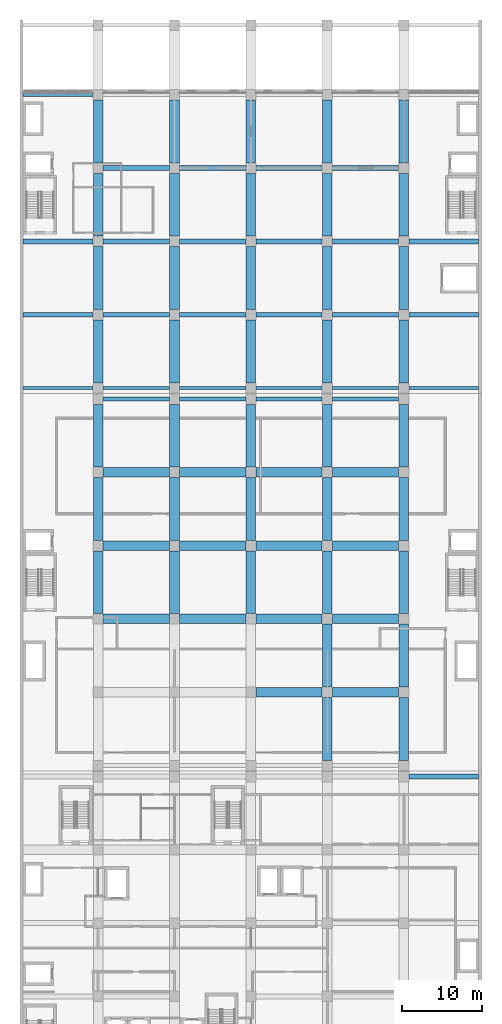
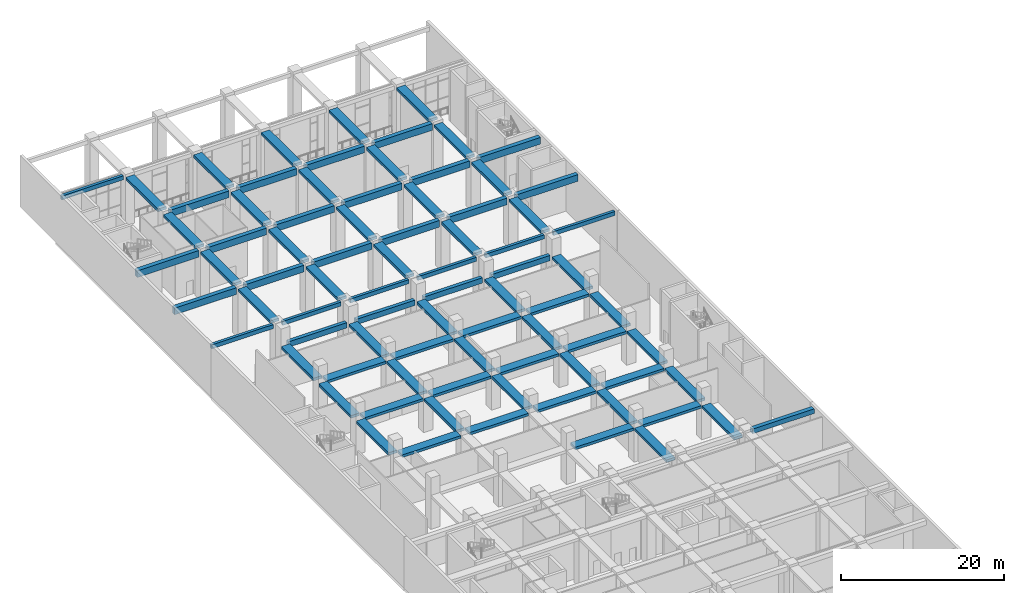
# One storey, part 2 of 33: 81 beams.
"""IFC4 building model written with IfcOpenShell, lengths in metres."""

from ifc_helpers import new_model, si_unit, direction, frame, origin, origin_2d, place, context, subcontext, project, spatial, rectangle, extrude, material, material_profile, profile_set, type_object, element, save


model = new_model("IFC4")

# Units and contexts
model_context = context("Model", 3, precision=1e-05, world=origin(), true_north=direction((0.0, 1.0)))
body_context = subcontext(model_context, "Body", "Model", "MODEL_VIEW")
ifc_project = project(units=[si_unit("LENGTHUNIT", "METRE"), si_unit("AREAUNIT", "SQUARE_METRE"), si_unit("VOLUMEUNIT", "CUBIC_METRE"), si_unit("PLANEANGLEUNIT", "RADIAN"), si_unit("MASSUNIT", "GRAM", prefix="KILO")], contexts=[model_context])

# Site, building, storey
site_placement = place(None, origin())
site = spatial("IfcSite", under=ifc_project, at=site_placement, CompositionType="ELEMENT")
building_placement = place(site_placement, origin())
building = spatial("IfcBuilding", under=site, at=building_placement, Name="Nzadi Deep Aquarium and Research Tower", CompositionType="ELEMENT")
storey_placement = place(building_placement, frame((0.0, 0.0, 6.5)))
storey = spatial("IfcBuildingStorey", under=building, at=storey_placement, Name="L01", CompositionType="ELEMENT", Elevation=6.5)

# Beams
ifc_material_1 = material(Name="Concrete C35/45", Category="concrete")
ifc_material_profile_1 = material_profile(ifc_material_1, rectangle(XDim=1.199951171875, YDim=0.39990234375, at=origin_2d()))
ifc_profile_set_1 = profile_set([ifc_material_profile_1], Name="Concrete C35/45")
beam_type_1 = type_object("IfcBeamType", Name="RC 1200x400", PredefinedType="BEAM", material=ifc_profile_set_1)
for number, where, z_axis, x_axis, name in (
    (1, (29.449951171875, 56.60009765625, 4.89990234375), (1.0, 0.0, 0.0), (0.0, 1.0, 0.0), "B-Z2-L01-L8-4"),
    (2, (39.050048828125, 56.60009765625, 4.89990234375), (1.0, 0.0, 0.0), (0.0, 1.0, 0.0), "B-Z2-L01-L8-5"),
    (3, (10.25, 65.800048828125, 4.89990234375), (1.0, 0.0, 0.0), (0.0, 1.0, 0.0), "B-Z2-L01-L9-2"),
):
    element("IfcBeam", number, at=place(storey_placement, frame(where, z_axis=z_axis, x_axis=x_axis)), inside=storey, type_object=beam_type_1, Name=name, PredefinedType="BEAM", context=body_context, shape_type="SweptSolid", body=[
        extrude(rectangle(XDim=1.199951171875, YDim=0.39990234375, at=origin_2d()), origin(), (0.0, 0.0, 1.0), 8.300048828125),
    ])
beam_1_placement = place(storey_placement, frame((19.85009765625, 65.800048828125, 4.89990234375), z_axis=(1.0, 0.0, 0.0), x_axis=(0.0, 1.0, 0.0)))
element("IfcBeam", 4, at=beam_1_placement, inside=storey, type_object=beam_type_1, Name="B-Z2-L01-L9-3", PredefinedType="BEAM", context=body_context, shape_type="SweptSolid", body=[
    extrude(rectangle(XDim=1.199951171875, YDim=0.39990234375, at=origin_2d()), origin(), (0.0, 0.0, 1.0), 8.2998046875),
])
for number, where, z_axis, x_axis, name in (
    (5, (29.449951171875, 65.800048828125, 4.89990234375), (1.0, 0.0, 0.0), (0.0, 1.0, 0.0), "B-Z2-L01-L9-4"),
    (6, (39.050048828125, 65.800048828125, 4.89990234375), (1.0, 0.0, 0.0), (0.0, 1.0, 0.0), "B-Z2-L01-L9-5"),
    (7, (10.25, 75.0, 4.89990234375), (1.0, 0.0, 0.0), (0.0, 1.0, 0.0), "B-Z2-L01-L10-2"),
):
    element("IfcBeam", number, at=place(storey_placement, frame(where, z_axis=z_axis, x_axis=x_axis)), inside=storey, type_object=beam_type_1, Name=name, PredefinedType="BEAM", context=body_context, shape_type="SweptSolid", body=[
        extrude(rectangle(XDim=1.199951171875, YDim=0.39990234375, at=origin_2d()), origin(), (0.0, 0.0, 1.0), 8.300048828125),
    ])
beam_2_placement = place(storey_placement, frame((19.85009765625, 75.0, 4.89990234375), z_axis=(1.0, 0.0, 0.0), x_axis=(0.0, 1.0, 0.0)))
element("IfcBeam", 8, at=beam_2_placement, inside=storey, type_object=beam_type_1, Name="B-Z2-L01-L10-3", PredefinedType="BEAM", context=body_context, shape_type="SweptSolid", body=[
    extrude(rectangle(XDim=1.199951171875, YDim=0.39990234375, at=origin_2d()), origin(), (0.0, 0.0, 1.0), 8.2998046875),
])
for number, where, z_axis, x_axis, name in (
    (9, (29.449951171875, 75.0, 4.89990234375), (1.0, 0.0, 0.0), (0.0, 1.0, 0.0), "B-Z2-L01-L10-4"),
    (10, (39.050048828125, 75.0, 4.89990234375), (1.0, 0.0, 0.0), (0.0, 1.0, 0.0), "B-Z2-L01-L10-5"),
    (11, (10.25, 84.199951171875, 4.89990234375), (1.0, 0.0, 0.0), (0.0, 1.0, 0.0), "B-Z2-L01-L11-2"),
):
    element("IfcBeam", number, at=place(storey_placement, frame(where, z_axis=z_axis, x_axis=x_axis)), inside=storey, type_object=beam_type_1, Name=name, PredefinedType="BEAM", context=body_context, shape_type="SweptSolid", body=[
        extrude(rectangle(XDim=1.199951171875, YDim=0.39990234375, at=origin_2d()), origin(), (0.0, 0.0, 1.0), 8.300048828125),
    ])
beam_3_placement = place(storey_placement, frame((19.85009765625, 84.199951171875, 4.89990234375), z_axis=(1.0, 0.0, 0.0), x_axis=(0.0, 1.0, 0.0)))
element("IfcBeam", 12, at=beam_3_placement, inside=storey, type_object=beam_type_1, Name="B-Z2-L01-L11-3", PredefinedType="BEAM", context=body_context, shape_type="SweptSolid", body=[
    extrude(rectangle(XDim=1.199951171875, YDim=0.39990234375, at=origin_2d()), origin(), (0.0, 0.0, 1.0), 8.2998046875),
])
for number, where, z_axis, x_axis, name in (
    (13, (29.449951171875, 84.199951171875, 4.89990234375), (1.0, 0.0, 0.0), (0.0, 1.0, 0.0), "B-Z2-L01-L11-4"),
    (14, (39.050048828125, 84.199951171875, 4.89990234375), (1.0, 0.0, 0.0), (0.0, 1.0, 0.0), "B-Z2-L01-L11-5"),
):
    element("IfcBeam", number, at=place(storey_placement, frame(where, z_axis=z_axis, x_axis=x_axis)), inside=storey, type_object=beam_type_1, Name=name, PredefinedType="BEAM", context=body_context, shape_type="SweptSolid", body=[
        extrude(rectangle(XDim=1.199951171875, YDim=0.39990234375, at=origin_2d()), origin(), (0.0, 0.0, 1.0), 8.300048828125),
    ])
for number, where, z_axis, x_axis, name in (
    (15, (9.60009765625, 66.449951171875, 4.89990234375), (0.0, 1.0, 0.0), (-1.0, 0.0, 0.0), "B-Z2-L01-CB-3-7"),
    (16, (9.60009765625, 75.64990234375, 4.89990234375), (0.0, 1.0, 0.0), (-1.0, 0.0, 0.0), "B-Z2-L01-CB-4-7"),
):
    element("IfcBeam", number, at=place(storey_placement, frame(where, z_axis=z_axis, x_axis=x_axis)), inside=storey, type_object=beam_type_1, Name=name, PredefinedType="BEAM", context=body_context, shape_type="SweptSolid", body=[
        extrude(rectangle(XDim=1.199951171875, YDim=0.39990234375, at=origin_2d()), origin(), (0.0, 0.0, 1.0), 7.900146484375),
    ])
beam_4_placement = place(storey_placement, frame((9.60009765625, 84.85009765625, 4.89990234375), z_axis=(0.0, 1.0, 0.0), x_axis=(-1.0, 0.0, 0.0)))
element("IfcBeam", 17, at=beam_4_placement, inside=storey, type_object=beam_type_1, Name="B-Z2-L01-CB-5-7", PredefinedType="BEAM", context=body_context, shape_type="SweptSolid", body=[
    extrude(rectangle(XDim=1.199951171875, YDim=0.39990234375, at=origin_2d()), origin(), (0.0, 0.0, 1.0), 7.89990234375),
])
for number, where, z_axis, x_axis, name in (
    (18, (19.199951171875, 66.449951171875, 4.89990234375), (0.0, 1.0, 0.0), (-1.0, 0.0, 0.0), "B-Z2-L01-CC-3-7"),
    (19, (19.199951171875, 75.64990234375, 4.89990234375), (0.0, 1.0, 0.0), (-1.0, 0.0, 0.0), "B-Z2-L01-CC-4-7"),
):
    element("IfcBeam", number, at=place(storey_placement, frame(where, z_axis=z_axis, x_axis=x_axis)), inside=storey, type_object=beam_type_1, Name=name, PredefinedType="BEAM", context=body_context, shape_type="SweptSolid", body=[
        extrude(rectangle(XDim=1.199951171875, YDim=0.39990234375, at=origin_2d()), origin(), (0.0, 0.0, 1.0), 7.900146484375),
    ])
beam_5_placement = place(storey_placement, frame((19.199951171875, 84.85009765625, 4.89990234375), z_axis=(0.0, 1.0, 0.0), x_axis=(-1.0, 0.0, 0.0)))
element("IfcBeam", 20, at=beam_5_placement, inside=storey, type_object=beam_type_1, Name="B-Z2-L01-CC-5-7", PredefinedType="BEAM", context=body_context, shape_type="SweptSolid", body=[
    extrude(rectangle(XDim=1.199951171875, YDim=0.39990234375, at=origin_2d()), origin(), (0.0, 0.0, 1.0), 7.89990234375),
])
for number, where, z_axis, x_axis, name in (
    (21, (28.800048828125, 66.449951171875, 4.89990234375), (0.0, 1.0, 0.0), (-1.0, 0.0, 0.0), "B-Z2-L01-CD-3-7"),
    (22, (28.800048828125, 75.64990234375, 4.89990234375), (0.0, 1.0, 0.0), (-1.0, 0.0, 0.0), "B-Z2-L01-CD-4-7"),
):
    element("IfcBeam", number, at=place(storey_placement, frame(where, z_axis=z_axis, x_axis=x_axis)), inside=storey, type_object=beam_type_1, Name=name, PredefinedType="BEAM", context=body_context, shape_type="SweptSolid", body=[
        extrude(rectangle(XDim=1.199951171875, YDim=0.39990234375, at=origin_2d()), origin(), (0.0, 0.0, 1.0), 7.900146484375),
    ])
for number, where, z_axis, x_axis, name in (
    (23, (28.800048828125, 84.85009765625, 4.89990234375), (0.0, 1.0, 0.0), (-1.0, 0.0, 0.0), "B-Z2-L01-CD-5-7"),
    (24, (38.39990234375, 48.050048828125, 4.89990234375), (0.0, 1.0, 0.0), (-1.0, 0.0, 0.0), "B-Z2-L01-CE-1-7"),
    (25, (38.39990234375, 57.25, 4.89990234375), (0.0, 1.0, 0.0), (-1.0, 0.0, 0.0), "B-Z2-L01-CE-2-7"),
):
    element("IfcBeam", number, at=place(storey_placement, frame(where, z_axis=z_axis, x_axis=x_axis)), inside=storey, type_object=beam_type_1, Name=name, PredefinedType="BEAM", context=body_context, shape_type="SweptSolid", body=[
        extrude(rectangle(XDim=1.199951171875, YDim=0.39990234375, at=origin_2d()), origin(), (0.0, 0.0, 1.0), 7.89990234375),
    ])
for number, where, z_axis, x_axis, name in (
    (26, (38.39990234375, 66.449951171875, 4.89990234375), (0.0, 1.0, 0.0), (-1.0, 0.0, 0.0), "B-Z2-L01-CE-3-7"),
    (27, (38.39990234375, 75.64990234375, 4.89990234375), (0.0, 1.0, 0.0), (-1.0, 0.0, 0.0), "B-Z2-L01-CE-4-7"),
):
    element("IfcBeam", number, at=place(storey_placement, frame(where, z_axis=z_axis, x_axis=x_axis)), inside=storey, type_object=beam_type_1, Name=name, PredefinedType="BEAM", context=body_context, shape_type="SweptSolid", body=[
        extrude(rectangle(XDim=1.199951171875, YDim=0.39990234375, at=origin_2d()), origin(), (0.0, 0.0, 1.0), 7.900146484375),
    ])
for number, where, z_axis, x_axis, name in (
    (28, (38.39990234375, 84.85009765625, 4.89990234375), (0.0, 1.0, 0.0), (-1.0, 0.0, 0.0), "B-Z2-L01-CE-5-7"),
    (29, (48.0, 48.050048828125, 4.89990234375), (0.0, 1.0, 0.0), (-1.0, 0.0, 0.0), "B-Z2-L01-CF-1-7"),
    (30, (48.0, 57.25, 4.89990234375), (0.0, 1.0, 0.0), (-1.0, 0.0, 0.0), "B-Z2-L01-CF-2-7"),
):
    element("IfcBeam", number, at=place(storey_placement, frame(where, z_axis=z_axis, x_axis=x_axis)), inside=storey, type_object=beam_type_1, Name=name, PredefinedType="BEAM", context=body_context, shape_type="SweptSolid", body=[
        extrude(rectangle(XDim=1.199951171875, YDim=0.39990234375, at=origin_2d()), origin(), (0.0, 0.0, 1.0), 7.89990234375),
    ])
for number, where, z_axis, x_axis, name in (
    (31, (48.0, 66.449951171875, 4.89990234375), (0.0, 1.0, 0.0), (-1.0, 0.0, 0.0), "B-Z2-L01-CF-3-7"),
    (32, (48.0, 75.64990234375, 4.89990234375), (0.0, 1.0, 0.0), (-1.0, 0.0, 0.0), "B-Z2-L01-CF-4-7"),
):
    element("IfcBeam", number, at=place(storey_placement, frame(where, z_axis=z_axis, x_axis=x_axis)), inside=storey, type_object=beam_type_1, Name=name, PredefinedType="BEAM", context=body_context, shape_type="SweptSolid", body=[
        extrude(rectangle(XDim=1.199951171875, YDim=0.39990234375, at=origin_2d()), origin(), (0.0, 0.0, 1.0), 7.900146484375),
    ])
beam_6_placement = place(storey_placement, frame((48.0, 84.85009765625, 4.89990234375), z_axis=(0.0, 1.0, 0.0), x_axis=(-1.0, 0.0, 0.0)))
element("IfcBeam", 33, at=beam_6_placement, inside=storey, type_object=beam_type_1, Name="B-Z2-L01-CF-5-7", PredefinedType="BEAM", context=body_context, shape_type="SweptSolid", body=[
    extrude(rectangle(XDim=1.199951171875, YDim=0.39990234375, at=origin_2d()), origin(), (0.0, 0.0, 1.0), 7.89990234375),
])
for number, where, z_axis, x_axis, name in (
    (34, (9.60009765625, 95.449951171875, 7.090087890625), (0.0, 1.0, 0.0), (-1.0, 0.0, 0.0), "B-Z3-L01-CB-1-13"),
    (35, (9.60009765625, 104.64990234375, 7.090087890625), (0.0, 1.0, 0.0), (-1.0, 0.0, 0.0), "B-Z3-L01-CB-2-13"),
):
    element("IfcBeam", number, at=place(storey_placement, frame(where, z_axis=z_axis, x_axis=x_axis)), inside=storey, type_object=beam_type_1, Name=name, PredefinedType="BEAM", context=body_context, shape_type="SweptSolid", body=[
        extrude(rectangle(XDim=1.199951171875, YDim=0.39990234375, at=origin_2d()), origin(), (0.0, 0.0, 1.0), 7.900146484375),
    ])
for number, where, z_axis, x_axis, name in (
    (36, (9.60009765625, 113.85009765625, 7.090087890625), (0.0, 1.0, 0.0), (-1.0, 0.0, 0.0), "B-Z3-L01-CB-3-13"),
    (37, (9.60009765625, 123.050048828125, 7.090087890625), (0.0, 1.0, 0.0), (-1.0, 0.0, 0.0), "B-Z3-L01-CB-4-13"),
):
    element("IfcBeam", number, at=place(storey_placement, frame(where, z_axis=z_axis, x_axis=x_axis)), inside=storey, type_object=beam_type_1, Name=name, PredefinedType="BEAM", context=body_context, shape_type="SweptSolid", body=[
        extrude(rectangle(XDim=1.199951171875, YDim=0.39990234375, at=origin_2d()), origin(), (0.0, 0.0, 1.0), 7.89990234375),
    ])
for number, where, z_axis, x_axis, name in (
    (38, (19.199951171875, 95.449951171875, 7.090087890625), (0.0, 1.0, 0.0), (-1.0, 0.0, 0.0), "B-Z3-L01-CC-1-13"),
    (39, (19.199951171875, 104.64990234375, 7.090087890625), (0.0, 1.0, 0.0), (-1.0, 0.0, 0.0), "B-Z3-L01-CC-2-13"),
):
    element("IfcBeam", number, at=place(storey_placement, frame(where, z_axis=z_axis, x_axis=x_axis)), inside=storey, type_object=beam_type_1, Name=name, PredefinedType="BEAM", context=body_context, shape_type="SweptSolid", body=[
        extrude(rectangle(XDim=1.199951171875, YDim=0.39990234375, at=origin_2d()), origin(), (0.0, 0.0, 1.0), 7.900146484375),
    ])
for number, where, z_axis, x_axis, name in (
    (40, (19.199951171875, 113.85009765625, 7.090087890625), (0.0, 1.0, 0.0), (-1.0, 0.0, 0.0), "B-Z3-L01-CC-3-13"),
    (41, (19.199951171875, 123.050048828125, 7.090087890625), (0.0, 1.0, 0.0), (-1.0, 0.0, 0.0), "B-Z3-L01-CC-4-13"),
):
    element("IfcBeam", number, at=place(storey_placement, frame(where, z_axis=z_axis, x_axis=x_axis)), inside=storey, type_object=beam_type_1, Name=name, PredefinedType="BEAM", context=body_context, shape_type="SweptSolid", body=[
        extrude(rectangle(XDim=1.199951171875, YDim=0.39990234375, at=origin_2d()), origin(), (0.0, 0.0, 1.0), 7.89990234375),
    ])
for number, where, z_axis, x_axis, name in (
    (42, (28.800048828125, 95.449951171875, 7.090087890625), (0.0, 1.0, 0.0), (-1.0, 0.0, 0.0), "B-Z3-L01-CD-1-13"),
    (43, (28.800048828125, 104.64990234375, 7.090087890625), (0.0, 1.0, 0.0), (-1.0, 0.0, 0.0), "B-Z3-L01-CD-2-13"),
):
    element("IfcBeam", number, at=place(storey_placement, frame(where, z_axis=z_axis, x_axis=x_axis)), inside=storey, type_object=beam_type_1, Name=name, PredefinedType="BEAM", context=body_context, shape_type="SweptSolid", body=[
        extrude(rectangle(XDim=1.199951171875, YDim=0.39990234375, at=origin_2d()), origin(), (0.0, 0.0, 1.0), 7.900146484375),
    ])
for number, where, z_axis, x_axis, name in (
    (44, (28.800048828125, 113.85009765625, 7.090087890625), (0.0, 1.0, 0.0), (-1.0, 0.0, 0.0), "B-Z3-L01-CD-3-13"),
    (45, (28.800048828125, 123.050048828125, 7.090087890625), (0.0, 1.0, 0.0), (-1.0, 0.0, 0.0), "B-Z3-L01-CD-4-13"),
):
    element("IfcBeam", number, at=place(storey_placement, frame(where, z_axis=z_axis, x_axis=x_axis)), inside=storey, type_object=beam_type_1, Name=name, PredefinedType="BEAM", context=body_context, shape_type="SweptSolid", body=[
        extrude(rectangle(XDim=1.199951171875, YDim=0.39990234375, at=origin_2d()), origin(), (0.0, 0.0, 1.0), 7.89990234375),
    ])
for number, where, z_axis, x_axis, name in (
    (46, (38.39990234375, 95.449951171875, 7.090087890625), (0.0, 1.0, 0.0), (-1.0, 0.0, 0.0), "B-Z3-L01-CE-1-13"),
    (47, (38.39990234375, 104.64990234375, 7.090087890625), (0.0, 1.0, 0.0), (-1.0, 0.0, 0.0), "B-Z3-L01-CE-2-13"),
):
    element("IfcBeam", number, at=place(storey_placement, frame(where, z_axis=z_axis, x_axis=x_axis)), inside=storey, type_object=beam_type_1, Name=name, PredefinedType="BEAM", context=body_context, shape_type="SweptSolid", body=[
        extrude(rectangle(XDim=1.199951171875, YDim=0.39990234375, at=origin_2d()), origin(), (0.0, 0.0, 1.0), 7.900146484375),
    ])
for number, where, z_axis, x_axis, name in (
    (48, (38.39990234375, 113.85009765625, 7.090087890625), (0.0, 1.0, 0.0), (-1.0, 0.0, 0.0), "B-Z3-L01-CE-3-13"),
    (49, (38.39990234375, 123.050048828125, 7.090087890625), (0.0, 1.0, 0.0), (-1.0, 0.0, 0.0), "B-Z3-L01-CE-4-13"),
):
    element("IfcBeam", number, at=place(storey_placement, frame(where, z_axis=z_axis, x_axis=x_axis)), inside=storey, type_object=beam_type_1, Name=name, PredefinedType="BEAM", context=body_context, shape_type="SweptSolid", body=[
        extrude(rectangle(XDim=1.199951171875, YDim=0.39990234375, at=origin_2d()), origin(), (0.0, 0.0, 1.0), 7.89990234375),
    ])
for number, where, z_axis, x_axis, name in (
    (50, (48.0, 95.449951171875, 7.090087890625), (0.0, 1.0, 0.0), (-1.0, 0.0, 0.0), "B-Z3-L01-CF-1-13"),
    (51, (48.0, 104.64990234375, 7.090087890625), (0.0, 1.0, 0.0), (-1.0, 0.0, 0.0), "B-Z3-L01-CF-2-13"),
):
    element("IfcBeam", number, at=place(storey_placement, frame(where, z_axis=z_axis, x_axis=x_axis)), inside=storey, type_object=beam_type_1, Name=name, PredefinedType="BEAM", context=body_context, shape_type="SweptSolid", body=[
        extrude(rectangle(XDim=1.199951171875, YDim=0.39990234375, at=origin_2d()), origin(), (0.0, 0.0, 1.0), 7.900146484375),
    ])
for number, where, z_axis, x_axis, name in (
    (52, (48.0, 113.85009765625, 7.090087890625), (0.0, 1.0, 0.0), (-1.0, 0.0, 0.0), "B-Z3-L01-CF-3-13"),
    (53, (48.0, 123.050048828125, 7.090087890625), (0.0, 1.0, 0.0), (-1.0, 0.0, 0.0), "B-Z3-L01-CF-4-13"),
):
    element("IfcBeam", number, at=place(storey_placement, frame(where, z_axis=z_axis, x_axis=x_axis)), inside=storey, type_object=beam_type_1, Name=name, PredefinedType="BEAM", context=body_context, shape_type="SweptSolid", body=[
        extrude(rectangle(XDim=1.199951171875, YDim=0.39990234375, at=origin_2d()), origin(), (0.0, 0.0, 1.0), 7.89990234375),
    ])
ifc_material_2 = material(Name="Concrete C35/45", Category="concrete")
ifc_material_profile_2 = material_profile(ifc_material_2, rectangle(XDim=0.39990234375, YDim=0.60009765625, at=origin_2d()))
ifc_profile_set_2 = profile_set([ifc_material_profile_2], Name="Concrete C35/45")
beam_type_2 = type_object("IfcBeamType", Name="RC 400x600", PredefinedType="BEAM", material=ifc_profile_set_2)
beam_7_placement = place(storey_placement, frame((0.199951171875, 94.800048828125, 6.989990234375), z_axis=(1.0, 0.0, 0.0), x_axis=(0.0, 1.0, 0.0)))
element("IfcBeam", 54, at=beam_7_placement, inside=storey, type_object=beam_type_2, Name="B-Z3-L01-L13-1", PredefinedType="BEAM", context=body_context, shape_type="SweptSolid", body=[
    extrude(rectangle(XDim=0.39990234375, YDim=0.60009765625, at=origin_2d()), origin(), (0.0, 0.0, 1.0), 8.75),
])
beam_8_placement = place(storey_placement, frame((10.25, 94.800048828125, 6.989990234375), z_axis=(1.0, 0.0, 0.0), x_axis=(0.0, 1.0, 0.0)))
element("IfcBeam", 55, at=beam_8_placement, inside=storey, type_object=beam_type_2, Name="B-Z3-L01-L13-2", PredefinedType="BEAM", context=body_context, shape_type="SweptSolid", body=[
    extrude(rectangle(XDim=0.39990234375, YDim=0.60009765625, at=origin_2d()), origin(), (0.0, 0.0, 1.0), 8.300048828125),
])
beam_9_placement = place(storey_placement, frame((19.85009765625, 94.800048828125, 6.989990234375), z_axis=(1.0, 0.0, 0.0), x_axis=(0.0, 1.0, 0.0)))
element("IfcBeam", 56, at=beam_9_placement, inside=storey, type_object=beam_type_2, Name="B-Z3-L01-L13-3", PredefinedType="BEAM", context=body_context, shape_type="SweptSolid", body=[
    extrude(rectangle(XDim=0.39990234375, YDim=0.60009765625, at=origin_2d()), origin(), (0.0, 0.0, 1.0), 8.2998046875),
])
for number, where, z_axis, x_axis, name in (
    (57, (29.449951171875, 94.800048828125, 6.989990234375), (1.0, 0.0, 0.0), (0.0, 1.0, 0.0), "B-Z3-L01-L13-4"),
    (58, (39.050048828125, 94.800048828125, 6.989990234375), (1.0, 0.0, 0.0), (0.0, 1.0, 0.0), "B-Z3-L01-L13-5"),
):
    element("IfcBeam", number, at=place(storey_placement, frame(where, z_axis=z_axis, x_axis=x_axis)), inside=storey, type_object=beam_type_2, Name=name, PredefinedType="BEAM", context=body_context, shape_type="SweptSolid", body=[
        extrude(rectangle(XDim=0.39990234375, YDim=0.60009765625, at=origin_2d()), origin(), (0.0, 0.0, 1.0), 8.300048828125),
    ])
for number, where, z_axis, x_axis, name in (
    (59, (48.64990234375, 94.800048828125, 6.989990234375), (1.0, 0.0, 0.0), (0.0, 1.0, 0.0), "B-Z3-L01-L13-6"),
    (60, (0.199951171875, 131.60009765625, 6.989990234375), (1.0, 0.0, 0.0), (0.0, 1.0, 0.0), "B-Z3-L01-L17-1"),
):
    element("IfcBeam", number, at=place(storey_placement, frame(where, z_axis=z_axis, x_axis=x_axis)), inside=storey, type_object=beam_type_2, Name=name, PredefinedType="BEAM", context=body_context, shape_type="SweptSolid", body=[
        extrude(rectangle(XDim=0.39990234375, YDim=0.60009765625, at=origin_2d()), origin(), (0.0, 0.0, 1.0), 8.75),
    ])
ifc_material_3 = material(Name="Concrete C40/50", Category="concrete")
ifc_material_profile_3 = material_profile(ifc_material_3, rectangle(XDim=0.5, YDim=0.800048828125, at=origin_2d()))
ifc_profile_set_3 = profile_set([ifc_material_profile_3], Name="Concrete C40/50")
beam_type_3 = type_object("IfcBeamType", Name="RC 500x800", PredefinedType="BEAM", material=ifc_profile_set_3)
beam_10_placement = place(storey_placement, frame((10.25, 93.39990234375, 4.699951171875), z_axis=(1.0, 0.0, 0.0), x_axis=(0.0, 1.0, 0.0)))
element("IfcBeam", 61, at=beam_10_placement, inside=storey, type_object=beam_type_3, Name="B-Z2-L01-L12-2", PredefinedType="BEAM", context=body_context, shape_type="SweptSolid", body=[
    extrude(rectangle(XDim=0.5, YDim=0.800048828125, at=origin_2d()), origin(), (0.0, 0.0, 1.0), 8.300048828125),
])
beam_11_placement = place(storey_placement, frame((19.85009765625, 93.39990234375, 4.699951171875), z_axis=(1.0, 0.0, 0.0), x_axis=(0.0, 1.0, 0.0)))
element("IfcBeam", 62, at=beam_11_placement, inside=storey, type_object=beam_type_3, Name="B-Z2-L01-L12-3", PredefinedType="BEAM", context=body_context, shape_type="SweptSolid", body=[
    extrude(rectangle(XDim=0.5, YDim=0.800048828125, at=origin_2d()), origin(), (0.0, 0.0, 1.0), 8.2998046875),
])
for number, where, z_axis, x_axis, name in (
    (63, (29.449951171875, 93.39990234375, 4.699951171875), (1.0, 0.0, 0.0), (0.0, 1.0, 0.0), "B-Z2-L01-L12-4"),
    (64, (39.050048828125, 93.39990234375, 4.699951171875), (1.0, 0.0, 0.0), (0.0, 1.0, 0.0), "B-Z2-L01-L12-5"),
):
    element("IfcBeam", number, at=place(storey_placement, frame(where, z_axis=z_axis, x_axis=x_axis)), inside=storey, type_object=beam_type_3, Name=name, PredefinedType="BEAM", context=body_context, shape_type="SweptSolid", body=[
        extrude(rectangle(XDim=0.5, YDim=0.800048828125, at=origin_2d()), origin(), (0.0, 0.0, 1.0), 8.300048828125),
    ])
ifc_material_4 = material(Name="Concrete C40/50", Category="concrete")
ifc_material_profile_4 = material_profile(ifc_material_4, rectangle(XDim=0.60009765625, YDim=1.0, at=origin_2d()))
ifc_profile_set_4 = profile_set([ifc_material_profile_4], Name="Concrete C40/50")
beam_type_4 = type_object("IfcBeamType", Name="RC 600x1000", PredefinedType="BEAM", material=ifc_profile_set_4)
beam_12_placement = place(storey_placement, frame((0.199951171875, 104.0, 6.7900390625), z_axis=(1.0, 0.0, 0.0), x_axis=(0.0, 1.0, 0.0)))
element("IfcBeam", 65, at=beam_12_placement, inside=storey, type_object=beam_type_4, Name="B-Z3-L01-L14-1", PredefinedType="BEAM", context=body_context, shape_type="SweptSolid", body=[
    extrude(rectangle(XDim=0.60009765625, YDim=1.0, at=origin_2d()), origin(), (0.0, 0.0, 1.0), 8.75),
])
beam_13_placement = place(storey_placement, frame((10.25, 104.0, 6.7900390625), z_axis=(1.0, 0.0, 0.0), x_axis=(0.0, 1.0, 0.0)))
element("IfcBeam", 66, at=beam_13_placement, inside=storey, type_object=beam_type_4, Name="B-Z3-L01-L14-2", PredefinedType="BEAM", context=body_context, shape_type="SweptSolid", body=[
    extrude(rectangle(XDim=0.60009765625, YDim=1.0, at=origin_2d()), origin(), (0.0, 0.0, 1.0), 8.300048828125),
])
beam_14_placement = place(storey_placement, frame((19.85009765625, 104.0, 6.7900390625), z_axis=(1.0, 0.0, 0.0), x_axis=(0.0, 1.0, 0.0)))
element("IfcBeam", 67, at=beam_14_placement, inside=storey, type_object=beam_type_4, Name="B-Z3-L01-L14-3", PredefinedType="BEAM", context=body_context, shape_type="SweptSolid", body=[
    extrude(rectangle(XDim=0.60009765625, YDim=1.0, at=origin_2d()), origin(), (0.0, 0.0, 1.0), 8.2998046875),
])
for number, where, z_axis, x_axis, name in (
    (68, (29.449951171875, 104.0, 6.7900390625), (1.0, 0.0, 0.0), (0.0, 1.0, 0.0), "B-Z3-L01-L14-4"),
    (69, (39.050048828125, 104.0, 6.7900390625), (1.0, 0.0, 0.0), (0.0, 1.0, 0.0), "B-Z3-L01-L14-5"),
):
    element("IfcBeam", number, at=place(storey_placement, frame(where, z_axis=z_axis, x_axis=x_axis)), inside=storey, type_object=beam_type_4, Name=name, PredefinedType="BEAM", context=body_context, shape_type="SweptSolid", body=[
        extrude(rectangle(XDim=0.60009765625, YDim=1.0, at=origin_2d()), origin(), (0.0, 0.0, 1.0), 8.300048828125),
    ])
for number, where, z_axis, x_axis, name in (
    (70, (48.64990234375, 104.0, 6.7900390625), (1.0, 0.0, 0.0), (0.0, 1.0, 0.0), "B-Z3-L01-L14-6"),
    (71, (0.199951171875, 113.199951171875, 6.7900390625), (1.0, 0.0, 0.0), (0.0, 1.0, 0.0), "B-Z3-L01-L15-1"),
):
    element("IfcBeam", number, at=place(storey_placement, frame(where, z_axis=z_axis, x_axis=x_axis)), inside=storey, type_object=beam_type_4, Name=name, PredefinedType="BEAM", context=body_context, shape_type="SweptSolid", body=[
        extrude(rectangle(XDim=0.60009765625, YDim=1.0, at=origin_2d()), origin(), (0.0, 0.0, 1.0), 8.75),
    ])
beam_15_placement = place(storey_placement, frame((10.25, 113.199951171875, 6.7900390625), z_axis=(1.0, 0.0, 0.0), x_axis=(0.0, 1.0, 0.0)))
element("IfcBeam", 72, at=beam_15_placement, inside=storey, type_object=beam_type_4, Name="B-Z3-L01-L15-2", PredefinedType="BEAM", context=body_context, shape_type="SweptSolid", body=[
    extrude(rectangle(XDim=0.60009765625, YDim=1.0, at=origin_2d()), origin(), (0.0, 0.0, 1.0), 8.300048828125),
])
beam_16_placement = place(storey_placement, frame((19.85009765625, 113.199951171875, 6.7900390625), z_axis=(1.0, 0.0, 0.0), x_axis=(0.0, 1.0, 0.0)))
element("IfcBeam", 73, at=beam_16_placement, inside=storey, type_object=beam_type_4, Name="B-Z3-L01-L15-3", PredefinedType="BEAM", context=body_context, shape_type="SweptSolid", body=[
    extrude(rectangle(XDim=0.60009765625, YDim=1.0, at=origin_2d()), origin(), (0.0, 0.0, 1.0), 8.2998046875),
])
for number, where, z_axis, x_axis, name in (
    (74, (29.449951171875, 113.199951171875, 6.7900390625), (1.0, 0.0, 0.0), (0.0, 1.0, 0.0), "B-Z3-L01-L15-4"),
    (75, (39.050048828125, 113.199951171875, 6.7900390625), (1.0, 0.0, 0.0), (0.0, 1.0, 0.0), "B-Z3-L01-L15-5"),
):
    element("IfcBeam", number, at=place(storey_placement, frame(where, z_axis=z_axis, x_axis=x_axis)), inside=storey, type_object=beam_type_4, Name=name, PredefinedType="BEAM", context=body_context, shape_type="SweptSolid", body=[
        extrude(rectangle(XDim=0.60009765625, YDim=1.0, at=origin_2d()), origin(), (0.0, 0.0, 1.0), 8.300048828125),
    ])
beam_17_placement = place(storey_placement, frame((48.64990234375, 113.199951171875, 6.7900390625), z_axis=(1.0, 0.0, 0.0), x_axis=(0.0, 1.0, 0.0)))
element("IfcBeam", 76, at=beam_17_placement, inside=storey, type_object=beam_type_4, Name="B-Z3-L01-L15-6", PredefinedType="BEAM", context=body_context, shape_type="SweptSolid", body=[
    extrude(rectangle(XDim=0.60009765625, YDim=1.0, at=origin_2d()), origin(), (0.0, 0.0, 1.0), 8.75),
])
beam_18_placement = place(storey_placement, frame((10.25, 122.39990234375, 6.7900390625), z_axis=(1.0, 0.0, 0.0), x_axis=(0.0, 1.0, 0.0)))
element("IfcBeam", 77, at=beam_18_placement, inside=storey, type_object=beam_type_4, Name="B-Z3-L01-L16-2", PredefinedType="BEAM", context=body_context, shape_type="SweptSolid", body=[
    extrude(rectangle(XDim=0.60009765625, YDim=1.0, at=origin_2d()), origin(), (0.0, 0.0, 1.0), 8.300048828125),
])
beam_19_placement = place(storey_placement, frame((19.85009765625, 122.39990234375, 6.7900390625), z_axis=(1.0, 0.0, 0.0), x_axis=(0.0, 1.0, 0.0)))
element("IfcBeam", 78, at=beam_19_placement, inside=storey, type_object=beam_type_4, Name="B-Z3-L01-L16-3", PredefinedType="BEAM", context=body_context, shape_type="SweptSolid", body=[
    extrude(rectangle(XDim=0.60009765625, YDim=1.0, at=origin_2d()), origin(), (0.0, 0.0, 1.0), 8.2998046875),
])
for number, where, z_axis, x_axis, name in (
    (79, (29.449951171875, 122.39990234375, 6.7900390625), (1.0, 0.0, 0.0), (0.0, 1.0, 0.0), "B-Z3-L01-L16-4"),
    (80, (39.050048828125, 122.39990234375, 6.7900390625), (1.0, 0.0, 0.0), (0.0, 1.0, 0.0), "B-Z3-L01-L16-5"),
):
    element("IfcBeam", number, at=place(storey_placement, frame(where, z_axis=z_axis, x_axis=x_axis)), inside=storey, type_object=beam_type_4, Name=name, PredefinedType="BEAM", context=body_context, shape_type="SweptSolid", body=[
        extrude(rectangle(XDim=0.60009765625, YDim=1.0, at=origin_2d()), origin(), (0.0, 0.0, 1.0), 8.300048828125),
    ])
ifc_material_5 = material(Name="Concrete C35/45", Category="concrete")
ifc_material_profile_5 = material_profile(ifc_material_5, rectangle(XDim=0.60009765625, YDim=0.699951171875, at=origin_2d()))
ifc_profile_set_5 = profile_set([ifc_material_profile_5], Name="Concrete C35/45")
beam_type_5 = type_object("IfcBeamType", Name="RC 600x700", PredefinedType="BEAM", material=ifc_profile_set_5)
beam_20_placement = place(storey_placement, frame((48.64990234375, 46.0, 7.0), z_axis=(1.0, 0.0, 0.0), x_axis=(0.0, 1.0, 0.0)))
element("IfcBeam", 81, at=beam_20_placement, inside=storey, type_object=beam_type_5, Name="B-Z1-L01-L6-6", PredefinedType="BEAM", context=body_context, shape_type="SweptSolid", body=[
    extrude(rectangle(XDim=0.60009765625, YDim=0.699951171875, at=origin_2d()), origin(), (0.0, 0.0, 1.0), 8.75),
])

save(model, "model.ifc")
